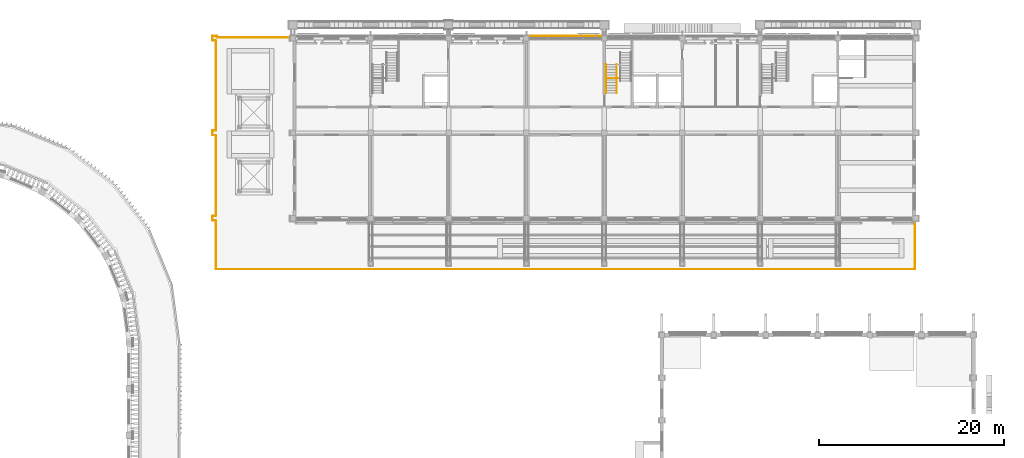
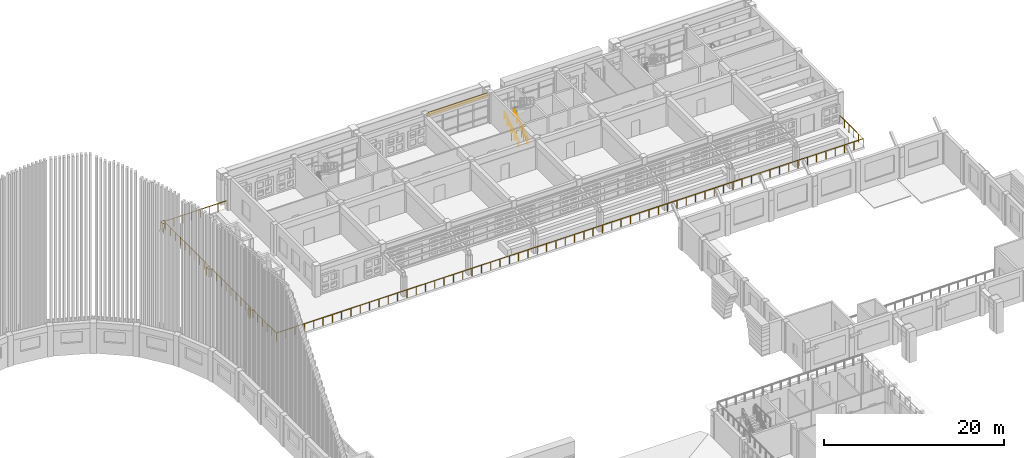
# One storey, part 62 of 68: 4 railings, 1 covering.
"""IFC4 building model written with IfcOpenShell, lengths in metres."""

from ifc_helpers import new_model, si_unit, direction, frame, origin, origin_2d, place, context, subcontext, project, spatial, polyline, circle, outline, extrude, material, layer, layer_set, type_object, element, save


model = new_model("IFC4")

# Units and contexts
model_context = context("Model", 3, precision=1e-05, world=origin(), true_north=direction((0.0, 1.0)))
body_context = subcontext(model_context, "Body", "Model", "MODEL_VIEW")
ifc_project = project(units=[si_unit("LENGTHUNIT", "METRE"), si_unit("AREAUNIT", "SQUARE_METRE"), si_unit("VOLUMEUNIT", "CUBIC_METRE"), si_unit("PLANEANGLEUNIT", "RADIAN"), si_unit("MASSUNIT", "GRAM", prefix="KILO")], contexts=[model_context])

# Site, building, storey
site_placement = place(None, origin())
site = spatial("IfcSite", under=ifc_project, at=site_placement, CompositionType="ELEMENT")
building_placement = place(site_placement, origin())
building = spatial("IfcBuilding", under=site, at=building_placement, Name="Wasatch Bagh Community Centre", CompositionType="ELEMENT")
storey_placement = place(building_placement, frame((0.0, 0.0, 8.39990234375)))
storey = spatial("IfcBuildingStorey", under=building, at=storey_placement, Name="L02", CompositionType="ELEMENT", Elevation=8.39990234375)

# Covering
ifc_material_1 = material(Name="Cast stone cladding", Category="masonry")
ifc_layer = layer(ifc_material_1, 0.080078125)
ifc_layer_set = layer_set([ifc_layer], Name="Cast stone cladding")
covering_type = type_object("IfcCoveringType", Name="CL-B7 beam facing", PredefinedType="CLADDING", material=ifc_layer_set)
covering_placement = place(storey_placement, frame((0.0, 0.0, 3.320068359375)))
element("IfcCovering", 1, at=covering_placement, inside=storey, type_object=covering_type, Name="Beam facing", PredefinedType="CLADDING", context=body_context, shape_type="SweptSolid", body=[
    extrude(outline(polyline([(97.89990234375, 97.97509765625), (105.699951171875, 97.97509765625), (105.699951171875, 98.054931640625), (97.89990234375, 98.054931640625), (97.89990234375, 97.97509765625)])), origin(), (0.0, 0.0, 1.0), 0.60009765625),
])

# Railings
ifc_material_2 = material(Name="Painted steel with jali infill", Category="steel")
railing_type_1 = type_object("IfcRailingType", Name="LW guard 1100", PredefinedType="GUARDRAIL", material=ifc_material_2)
railing_1_placement = place(storey_placement, frame((139.5, 78.14990234375, 0.0)))
element("IfcRailing", 2, at=railing_1_placement, inside=storey, type_object=railing_type_1, Name="Terrace guard T2", PredefinedType="GUARDRAIL", context=body_context, shape_type="SweptSolid", body=[
    extrude(circle(Radius=0.02490234375, at=origin_2d()), frame((0.0, 0.0, 1.0751953125), z_axis=(0.0, -1.0, 0.0), x_axis=(1.0, 0.0, 0.0)), (0.0, 0.0, 1.0), 5.25),
    extrude(circle(Radius=0.02490234375, at=origin_2d()), frame((0.0, -5.25, 1.0751953125), z_axis=(-1.0, 0.0, 0.0), x_axis=(0.0, -1.0, 0.0)), (0.0, 0.0, 1.0), 75.39990234375),
    extrude(circle(Radius=0.02490234375, at=origin_2d()), frame((-75.39990234375, -5.25, 1.0751953125), z_axis=(0.0, 1.0, 0.0), x_axis=(-1.0, 0.0, 0.0)), (0.0, 0.0, 1.0), 5.25),
    extrude(circle(Radius=0.02490234375, at=origin_2d()), frame((-75.39990234375, 0.0, 1.0751953125), z_axis=(-1.0, 0.0, 0.0), x_axis=(0.0, -1.0, 0.0)), (0.0, 0.0, 1.0), 0.35009765625),
    extrude(circle(Radius=0.02490234375, at=origin_2d()), frame((-75.75, 0.0, 1.0751953125), z_axis=(0.0, 1.0, 0.0), x_axis=(-1.0, 0.0, 0.0)), (0.0, 0.0, 1.0), 0.5),
    extrude(circle(Radius=0.02490234375, at=origin_2d()), frame((-75.75, 0.5, 1.0751953125), z_axis=(1.0, 0.0, 0.0), x_axis=(0.0, 1.0, 0.0)), (0.0, 0.0, 1.0), 0.35009765625),
    extrude(circle(Radius=0.02490234375, at=origin_2d()), frame((-75.39990234375, 0.5, 1.0751953125), z_axis=(0.0, 1.0, 0.0), x_axis=(-1.0, 0.0, 0.0)), (0.0, 0.0, 1.0), 8.7001953125),
    extrude(circle(Radius=0.02490234375, at=origin_2d()), frame((-75.39990234375, 9.2001953125, 1.0751953125), z_axis=(-1.0, 0.0, 0.0), x_axis=(0.0, -1.0, 0.0)), (0.0, 0.0, 1.0), 0.35009765625),
    extrude(circle(Radius=0.02490234375, at=origin_2d()), frame((-75.75, 9.2001953125, 1.0751953125), z_axis=(0.0, 1.0, 0.0), x_axis=(-1.0, 0.0, 0.0)), (0.0, 0.0, 1.0), 0.5),
    extrude(circle(Radius=0.02490234375, at=origin_2d()), frame((-75.75, 9.7001953125, 1.0751953125), z_axis=(1.0, 0.0, 0.0), x_axis=(0.0, 1.0, 0.0)), (0.0, 0.0, 1.0), 0.35009765625),
    extrude(circle(Radius=0.02490234375, at=origin_2d()), frame((-75.39990234375, 9.7001953125, 1.0751953125), z_axis=(0.0, 1.0, 0.0), x_axis=(-1.0, 0.0, 0.0)), (0.0, 0.0, 1.0), 9.699951171875),
    extrude(circle(Radius=0.02490234375, at=origin_2d()), frame((-75.39990234375, 19.400146484375, 1.0751953125), z_axis=(-1.0, 0.0, 0.0), x_axis=(0.0, -1.0, 0.0)), (0.0, 0.0, 1.0), 0.35009765625),
    extrude(circle(Radius=0.02490234375, at=origin_2d()), frame((-75.75, 19.400146484375, 1.0751953125), z_axis=(0.0, 1.0, 0.0), x_axis=(-1.0, 0.0, 0.0)), (0.0, 0.0, 1.0), 0.5),
    extrude(circle(Radius=0.02490234375, at=origin_2d()), frame((-75.75, 19.900146484375, 1.0751953125), z_axis=(1.0, 0.0, 0.0), x_axis=(0.0, 1.0, 0.0)), (0.0, 0.0, 1.0), 0.5),
    extrude(circle(Radius=0.02490234375, at=origin_2d()), frame((-75.25, 19.900146484375, 1.0751953125), z_axis=(0.0, -1.0, 0.0), x_axis=(1.0, 0.0, 0.0)), (0.0, 0.0, 1.0), 0.150146484375),
    extrude(circle(Radius=0.02490234375, at=origin_2d()), frame((-75.25, 19.75, 1.0751953125), z_axis=(1.0, 0.0, 0.0), x_axis=(0.0, 1.0, 0.0)), (0.0, 0.0, 1.0), 7.89990234375),
    extrude(circle(Radius=0.02001953125, at=origin_2d()), origin(), (0.0, 0.0, 1.0), 1.050048828125),
    extrude(circle(Radius=0.02001953125, at=origin_2d()), frame((0.0, -1.050048828125, 0.0)), (0.0, 0.0, 1.0), 1.050048828125),
    extrude(circle(Radius=0.02001953125, at=origin_2d()), frame((0.0, -2.10009765625, 0.0)), (0.0, 0.0, 1.0), 1.050048828125),
    extrude(circle(Radius=0.02001953125, at=origin_2d()), frame((0.0, -3.14990234375, 0.0)), (0.0, 0.0, 1.0), 1.050048828125),
    extrude(circle(Radius=0.02001953125, at=origin_2d()), frame((0.0, -4.199951171875, 0.0)), (0.0, 0.0, 1.0), 1.050048828125),
    extrude(circle(Radius=0.02001953125, at=origin_2d()), frame((0.0, -5.25, 0.0)), (0.0, 0.0, 1.0), 1.050048828125),
    extrude(circle(Radius=0.02001953125, at=origin_2d()), frame((-1.19677734375, -5.25, 0.0)), (0.0, 0.0, 1.0), 1.050048828125),
    extrude(circle(Radius=0.02001953125, at=origin_2d()), frame((-2.3935546875, -5.25, 0.0)), (0.0, 0.0, 1.0), 1.050048828125),
    extrude(circle(Radius=0.02001953125, at=origin_2d()), frame((-3.590576171875, -5.25, 0.0)), (0.0, 0.0, 1.0), 1.050048828125),
    extrude(circle(Radius=0.02001953125, at=origin_2d()), frame((-4.787353515625, -5.25, 0.0)), (0.0, 0.0, 1.0), 1.050048828125),
    extrude(circle(Radius=0.02001953125, at=origin_2d()), frame((-5.984130859375, -5.25, 0.0)), (0.0, 0.0, 1.0), 1.050048828125),
    extrude(circle(Radius=0.02001953125, at=origin_2d()), frame((-7.180908203125, -5.25, 0.0)), (0.0, 0.0, 1.0), 1.050048828125),
    extrude(circle(Radius=0.02001953125, at=origin_2d()), frame((-8.377685546875, -5.25, 0.0)), (0.0, 0.0, 1.0), 1.050048828125),
    extrude(circle(Radius=0.02001953125, at=origin_2d()), frame((-9.57470703125, -5.25, 0.0)), (0.0, 0.0, 1.0), 1.050048828125),
    extrude(circle(Radius=0.02001953125, at=origin_2d()), frame((-10.771484375, -5.25, 0.0)), (0.0, 0.0, 1.0), 1.050048828125),
    extrude(circle(Radius=0.02001953125, at=origin_2d()), frame((-11.96826171875, -5.25, 0.0)), (0.0, 0.0, 1.0), 1.050048828125),
    extrude(circle(Radius=0.02001953125, at=origin_2d()), frame((-13.1650390625, -5.25, 0.0)), (0.0, 0.0, 1.0), 1.050048828125),
    extrude(circle(Radius=0.02001953125, at=origin_2d()), frame((-14.36181640625, -5.25, 0.0)), (0.0, 0.0, 1.0), 1.050048828125),
    extrude(circle(Radius=0.02001953125, at=origin_2d()), frame((-15.55859375, -5.25, 0.0)), (0.0, 0.0, 1.0), 1.050048828125),
    extrude(circle(Radius=0.02001953125, at=origin_2d()), frame((-16.755615234375, -5.25, 0.0)), (0.0, 0.0, 1.0), 1.050048828125),
    extrude(circle(Radius=0.02001953125, at=origin_2d()), frame((-17.952392578125, -5.25, 0.0)), (0.0, 0.0, 1.0), 1.050048828125),
    extrude(circle(Radius=0.02001953125, at=origin_2d()), frame((-19.149169921875, -5.25, 0.0)), (0.0, 0.0, 1.0), 1.050048828125),
    extrude(circle(Radius=0.02001953125, at=origin_2d()), frame((-20.345947265625, -5.25, 0.0)), (0.0, 0.0, 1.0), 1.050048828125),
    extrude(circle(Radius=0.02001953125, at=origin_2d()), frame((-21.542724609375, -5.25, 0.0)), (0.0, 0.0, 1.0), 1.050048828125),
    extrude(circle(Radius=0.02001953125, at=origin_2d()), frame((-22.73974609375, -5.25, 0.0)), (0.0, 0.0, 1.0), 1.050048828125),
    extrude(circle(Radius=0.02001953125, at=origin_2d()), frame((-23.9365234375, -5.25, 0.0)), (0.0, 0.0, 1.0), 1.050048828125),
    extrude(circle(Radius=0.02001953125, at=origin_2d()), frame((-25.13330078125, -5.25, 0.0)), (0.0, 0.0, 1.0), 1.050048828125),
    extrude(circle(Radius=0.02001953125, at=origin_2d()), frame((-26.330078125, -5.25, 0.0)), (0.0, 0.0, 1.0), 1.050048828125),
    extrude(circle(Radius=0.02001953125, at=origin_2d()), frame((-27.52685546875, -5.25, 0.0)), (0.0, 0.0, 1.0), 1.050048828125),
    extrude(circle(Radius=0.02001953125, at=origin_2d()), frame((-28.723876953125, -5.25, 0.0)), (0.0, 0.0, 1.0), 1.050048828125),
    extrude(circle(Radius=0.02001953125, at=origin_2d()), frame((-29.920654296875, -5.25, 0.0)), (0.0, 0.0, 1.0), 1.050048828125),
    extrude(circle(Radius=0.02001953125, at=origin_2d()), frame((-31.117431640625, -5.25, 0.0)), (0.0, 0.0, 1.0), 1.050048828125),
    extrude(circle(Radius=0.02001953125, at=origin_2d()), frame((-32.314208984375, -5.25, 0.0)), (0.0, 0.0, 1.0), 1.050048828125),
    extrude(circle(Radius=0.02001953125, at=origin_2d()), frame((-33.510986328125, -5.25, 0.0)), (0.0, 0.0, 1.0), 1.050048828125),
    extrude(circle(Radius=0.02001953125, at=origin_2d()), frame((-34.7080078125, -5.25, 0.0)), (0.0, 0.0, 1.0), 1.050048828125),
    extrude(circle(Radius=0.02001953125, at=origin_2d()), frame((-35.90478515625, -5.25, 0.0)), (0.0, 0.0, 1.0), 1.050048828125),
    extrude(circle(Radius=0.02001953125, at=origin_2d()), frame((-37.1015625, -5.25, 0.0)), (0.0, 0.0, 1.0), 1.050048828125),
    extrude(circle(Radius=0.02001953125, at=origin_2d()), frame((-38.29833984375, -5.25, 0.0)), (0.0, 0.0, 1.0), 1.050048828125),
    extrude(circle(Radius=0.02001953125, at=origin_2d()), frame((-39.4951171875, -5.25, 0.0)), (0.0, 0.0, 1.0), 1.050048828125),
    extrude(circle(Radius=0.02001953125, at=origin_2d()), frame((-40.69189453125, -5.25, 0.0)), (0.0, 0.0, 1.0), 1.050048828125),
    extrude(circle(Radius=0.02001953125, at=origin_2d()), frame((-41.888916015625, -5.25, 0.0)), (0.0, 0.0, 1.0), 1.050048828125),
    extrude(circle(Radius=0.02001953125, at=origin_2d()), frame((-43.085693359375, -5.25, 0.0)), (0.0, 0.0, 1.0), 1.050048828125),
    extrude(circle(Radius=0.02001953125, at=origin_2d()), frame((-44.282470703125, -5.25, 0.0)), (0.0, 0.0, 1.0), 1.050048828125),
    extrude(circle(Radius=0.02001953125, at=origin_2d()), frame((-45.479248046875, -5.25, 0.0)), (0.0, 0.0, 1.0), 1.050048828125),
    extrude(circle(Radius=0.02001953125, at=origin_2d()), frame((-46.676025390625, -5.25, 0.0)), (0.0, 0.0, 1.0), 1.050048828125),
    extrude(circle(Radius=0.02001953125, at=origin_2d()), frame((-47.873046875, -5.25, 0.0)), (0.0, 0.0, 1.0), 1.050048828125),
    extrude(circle(Radius=0.02001953125, at=origin_2d()), frame((-49.06982421875, -5.25, 0.0)), (0.0, 0.0, 1.0), 1.050048828125),
    extrude(circle(Radius=0.02001953125, at=origin_2d()), frame((-50.2666015625, -5.25, 0.0)), (0.0, 0.0, 1.0), 1.050048828125),
    extrude(circle(Radius=0.02001953125, at=origin_2d()), frame((-51.46337890625, -5.25, 0.0)), (0.0, 0.0, 1.0), 1.050048828125),
    extrude(circle(Radius=0.02001953125, at=origin_2d()), frame((-52.66015625, -5.25, 0.0)), (0.0, 0.0, 1.0), 1.050048828125),
    extrude(circle(Radius=0.02001953125, at=origin_2d()), frame((-53.857177734375, -5.25, 0.0)), (0.0, 0.0, 1.0), 1.050048828125),
    extrude(circle(Radius=0.02001953125, at=origin_2d()), frame((-55.053955078125, -5.25, 0.0)), (0.0, 0.0, 1.0), 1.050048828125),
    extrude(circle(Radius=0.02001953125, at=origin_2d()), frame((-56.250732421875, -5.25, 0.0)), (0.0, 0.0, 1.0), 1.050048828125),
    extrude(circle(Radius=0.02001953125, at=origin_2d()), frame((-57.447509765625, -5.25, 0.0)), (0.0, 0.0, 1.0), 1.050048828125),
    extrude(circle(Radius=0.02001953125, at=origin_2d()), frame((-58.644287109375, -5.25, 0.0)), (0.0, 0.0, 1.0), 1.050048828125),
    extrude(circle(Radius=0.02001953125, at=origin_2d()), frame((-59.84130859375, -5.25, 0.0)), (0.0, 0.0, 1.0), 1.050048828125),
    extrude(circle(Radius=0.02001953125, at=origin_2d()), frame((-61.0380859375, -5.25, 0.0)), (0.0, 0.0, 1.0), 1.050048828125),
    extrude(circle(Radius=0.02001953125, at=origin_2d()), frame((-62.23486328125, -5.25, 0.0)), (0.0, 0.0, 1.0), 1.050048828125),
    extrude(circle(Radius=0.02001953125, at=origin_2d()), frame((-63.431640625, -5.25, 0.0)), (0.0, 0.0, 1.0), 1.050048828125),
    extrude(circle(Radius=0.02001953125, at=origin_2d()), frame((-64.62841796875, -5.25, 0.0)), (0.0, 0.0, 1.0), 1.050048828125),
    extrude(circle(Radius=0.02001953125, at=origin_2d()), frame((-65.8251953125, -5.25, 0.0)), (0.0, 0.0, 1.0), 1.050048828125),
    extrude(circle(Radius=0.02001953125, at=origin_2d()), frame((-67.022216796875, -5.25, 0.0)), (0.0, 0.0, 1.0), 1.050048828125),
    extrude(circle(Radius=0.02001953125, at=origin_2d()), frame((-68.218994140625, -5.25, 0.0)), (0.0, 0.0, 1.0), 1.050048828125),
    extrude(circle(Radius=0.02001953125, at=origin_2d()), frame((-69.415771484375, -5.25, 0.0)), (0.0, 0.0, 1.0), 1.050048828125),
    extrude(circle(Radius=0.02001953125, at=origin_2d()), frame((-70.612548828125, -5.25, 0.0)), (0.0, 0.0, 1.0), 1.050048828125),
    extrude(circle(Radius=0.02001953125, at=origin_2d()), frame((-71.809326171875, -5.25, 0.0)), (0.0, 0.0, 1.0), 1.050048828125),
    extrude(circle(Radius=0.02001953125, at=origin_2d()), frame((-73.00634765625, -5.25, 0.0)), (0.0, 0.0, 1.0), 1.050048828125),
    extrude(circle(Radius=0.02001953125, at=origin_2d()), frame((-74.203125, -5.25, 0.0)), (0.0, 0.0, 1.0), 1.050048828125),
    extrude(circle(Radius=0.02001953125, at=origin_2d()), frame((-75.39990234375, -5.25, 0.0)), (0.0, 0.0, 1.0), 1.050048828125),
    extrude(circle(Radius=0.02001953125, at=origin_2d()), frame((-75.39990234375, -4.199951171875, 0.0)), (0.0, 0.0, 1.0), 1.050048828125),
    extrude(circle(Radius=0.02001953125, at=origin_2d()), frame((-75.39990234375, -3.14990234375, 0.0)), (0.0, 0.0, 1.0), 1.050048828125),
    extrude(circle(Radius=0.02001953125, at=origin_2d()), frame((-75.39990234375, -2.10009765625, 0.0)), (0.0, 0.0, 1.0), 1.050048828125),
    extrude(circle(Radius=0.02001953125, at=origin_2d()), frame((-75.39990234375, -1.050048828125, 0.0)), (0.0, 0.0, 1.0), 1.050048828125),
    extrude(circle(Radius=0.02001953125, at=origin_2d()), frame((-75.39990234375, 0.0, 0.0)), (0.0, 0.0, 1.0), 1.050048828125),
    extrude(circle(Radius=0.02001953125, at=origin_2d()), frame((-75.75, 0.0, 0.0)), (0.0, 0.0, 1.0), 1.050048828125),
    extrude(circle(Radius=0.02001953125, at=origin_2d()), frame((-75.75, 0.5, 0.0)), (0.0, 0.0, 1.0), 1.050048828125),
    extrude(circle(Radius=0.02001953125, at=origin_2d()), frame((-75.39990234375, 0.5, 0.0)), (0.0, 0.0, 1.0), 1.050048828125),
    extrude(circle(Radius=0.02001953125, at=origin_2d()), frame((-75.39990234375, 1.58740234375, 0.0)), (0.0, 0.0, 1.0), 1.050048828125),
    extrude(circle(Radius=0.02001953125, at=origin_2d()), frame((-75.39990234375, 2.675048828125, 0.0)), (0.0, 0.0, 1.0), 1.050048828125),
    extrude(circle(Radius=0.02001953125, at=origin_2d()), frame((-75.39990234375, 3.7626953125, 0.0)), (0.0, 0.0, 1.0), 1.050048828125),
    extrude(circle(Radius=0.02001953125, at=origin_2d()), frame((-75.39990234375, 4.85009765625, 0.0)), (0.0, 0.0, 1.0), 1.050048828125),
    extrude(circle(Radius=0.02001953125, at=origin_2d()), frame((-75.39990234375, 5.9375, 0.0)), (0.0, 0.0, 1.0), 1.050048828125),
    extrude(circle(Radius=0.02001953125, at=origin_2d()), frame((-75.39990234375, 7.025146484375, 0.0)), (0.0, 0.0, 1.0), 1.050048828125),
    extrude(circle(Radius=0.02001953125, at=origin_2d()), frame((-75.39990234375, 8.11279296875, 0.0)), (0.0, 0.0, 1.0), 1.050048828125),
    extrude(circle(Radius=0.02001953125, at=origin_2d()), frame((-75.39990234375, 9.2001953125, 0.0)), (0.0, 0.0, 1.0), 1.050048828125),
    extrude(circle(Radius=0.02001953125, at=origin_2d()), frame((-75.75, 9.2001953125, 0.0)), (0.0, 0.0, 1.0), 1.050048828125),
    extrude(circle(Radius=0.02001953125, at=origin_2d()), frame((-75.75, 9.7001953125, 0.0)), (0.0, 0.0, 1.0), 1.050048828125),
    extrude(circle(Radius=0.02001953125, at=origin_2d()), frame((-75.39990234375, 9.7001953125, 0.0)), (0.0, 0.0, 1.0), 1.050048828125),
    extrude(circle(Radius=0.02001953125, at=origin_2d()), frame((-75.39990234375, 10.778076171875, 0.0)), (0.0, 0.0, 1.0), 1.050048828125),
    extrude(circle(Radius=0.02001953125, at=origin_2d()), frame((-75.39990234375, 11.855712890625, 0.0)), (0.0, 0.0, 1.0), 1.050048828125),
    extrude(circle(Radius=0.02001953125, at=origin_2d()), frame((-75.39990234375, 12.93359375, 0.0)), (0.0, 0.0, 1.0), 1.050048828125),
    extrude(circle(Radius=0.02001953125, at=origin_2d()), frame((-75.39990234375, 14.01123046875, 0.0)), (0.0, 0.0, 1.0), 1.050048828125),
    extrude(circle(Radius=0.02001953125, at=origin_2d()), frame((-75.39990234375, 15.089111328125, 0.0)), (0.0, 0.0, 1.0), 1.050048828125),
    extrude(circle(Radius=0.02001953125, at=origin_2d()), frame((-75.39990234375, 16.166748046875, 0.0)), (0.0, 0.0, 1.0), 1.050048828125),
    extrude(circle(Radius=0.02001953125, at=origin_2d()), frame((-75.39990234375, 17.24462890625, 0.0)), (0.0, 0.0, 1.0), 1.050048828125),
    extrude(circle(Radius=0.02001953125, at=origin_2d()), frame((-75.39990234375, 18.322265625, 0.0)), (0.0, 0.0, 1.0), 1.050048828125),
    extrude(circle(Radius=0.02001953125, at=origin_2d()), frame((-75.39990234375, 19.400146484375, 0.0)), (0.0, 0.0, 1.0), 1.050048828125),
    extrude(circle(Radius=0.02001953125, at=origin_2d()), frame((-75.75, 19.400146484375, 0.0)), (0.0, 0.0, 1.0), 1.050048828125),
    extrude(circle(Radius=0.02001953125, at=origin_2d()), frame((-75.75, 19.900146484375, 0.0)), (0.0, 0.0, 1.0), 1.050048828125),
    extrude(circle(Radius=0.02001953125, at=origin_2d()), frame((-75.25, 19.900146484375, 0.0)), (0.0, 0.0, 1.0), 1.050048828125),
    extrude(circle(Radius=0.02001953125, at=origin_2d()), frame((-75.25, 19.75, 0.0)), (0.0, 0.0, 1.0), 1.050048828125),
    extrude(circle(Radius=0.02001953125, at=origin_2d()), frame((-74.121337890625, 19.75, 0.0)), (0.0, 0.0, 1.0), 1.050048828125),
    extrude(circle(Radius=0.02001953125, at=origin_2d()), frame((-72.992919921875, 19.75, 0.0)), (0.0, 0.0, 1.0), 1.050048828125),
    extrude(circle(Radius=0.02001953125, at=origin_2d()), frame((-71.8642578125, 19.75, 0.0)), (0.0, 0.0, 1.0), 1.050048828125),
    extrude(circle(Radius=0.02001953125, at=origin_2d()), frame((-70.73583984375, 19.75, 0.0)), (0.0, 0.0, 1.0), 1.050048828125),
    extrude(circle(Radius=0.02001953125, at=origin_2d()), frame((-69.607177734375, 19.75, 0.0)), (0.0, 0.0, 1.0), 1.050048828125),
    extrude(circle(Radius=0.02001953125, at=origin_2d()), frame((-68.478759765625, 19.75, 0.0)), (0.0, 0.0, 1.0), 1.050048828125),
    extrude(circle(Radius=0.02001953125, at=origin_2d()), frame((-67.35009765625, 19.75, 0.0)), (0.0, 0.0, 1.0), 1.050048828125),
])
railing_2_placement = place(storey_placement, frame((106.199951171875, 93.5, 0.0)))
element("IfcRailing", 3, at=railing_2_placement, inside=storey, type_object=railing_type_1, Name="Guard C2", PredefinedType="GUARDRAIL", context=body_context, shape_type="SweptSolid", body=[
    extrude(circle(Radius=0.02490234375, at=origin_2d()), frame((0.0, 0.0, 1.0751953125), z_axis=(1.0, 0.0, 0.0), x_axis=(0.0, 1.0, 0.0)), (0.0, 0.0, 1.0), 1.300048828125),
    extrude(circle(Radius=0.02001953125, at=origin_2d()), origin(), (0.0, 0.0, 1.0), 1.050048828125),
    extrude(circle(Radius=0.02001953125, at=origin_2d()), frame((0.64990234375, 0.0, 0.0)), (0.0, 0.0, 1.0), 1.050048828125),
    extrude(circle(Radius=0.02001953125, at=origin_2d()), frame((1.300048828125, 0.0, 0.0)), (0.0, 0.0, 1.0), 1.050048828125),
])
ifc_material_3 = material(Name="Painted steel tube", Category="steel")
railing_type_2 = type_object("IfcRailingType", Name="LW stair handrail 900", PredefinedType="HANDRAIL", material=ifc_material_3)
for number, where, name in (
    (4, (106.175048828125, 91.89990234375, 0.175048828125), "Handrail C2"),
    (5, (107.3349609375, 91.89990234375, 0.175048828125), "Handrail C2"),
):
    element("IfcRailing", number, at=place(storey_placement, frame(where)), inside=storey, type_object=railing_type_2, Name=name, PredefinedType="HANDRAIL", context=body_context, shape_type="SweptSolid", body=[
        extrude(circle(Radius=0.0224609375, at=origin_2d()), frame((0.0, 0.0, 0.87744140625), z_axis=(0.0, 0.847998304005, 0.529998940003), x_axis=(-1.0, 0.0, 0.0)), (0.0, 0.0, 1.0), 3.632080078125),
        extrude(circle(Radius=0.02001953125, at=origin_2d()), origin(), (0.0, 0.0, 1.0), 0.85498046875),
        extrude(circle(Radius=0.02001953125, at=origin_2d()), frame((0.0, 0.77001953125, 0.481201171875)), (0.0, 0.0, 1.0), 0.85498046875),
        extrude(circle(Radius=0.02001953125, at=origin_2d()), frame((0.0, 1.5400390625, 0.96240234375)), (0.0, 0.0, 1.0), 0.85498046875),
        extrude(circle(Radius=0.02001953125, at=origin_2d()), frame((0.0, 2.31005859375, 1.44384765625)), (0.0, 0.0, 1.0), 0.85498046875),
        extrude(circle(Radius=0.02001953125, at=origin_2d()), frame((0.0, 3.080078125, 1.925048828125)), (0.0, 0.0, 1.0), 0.85498046875),
    ])

save(model, "model.ifc")
